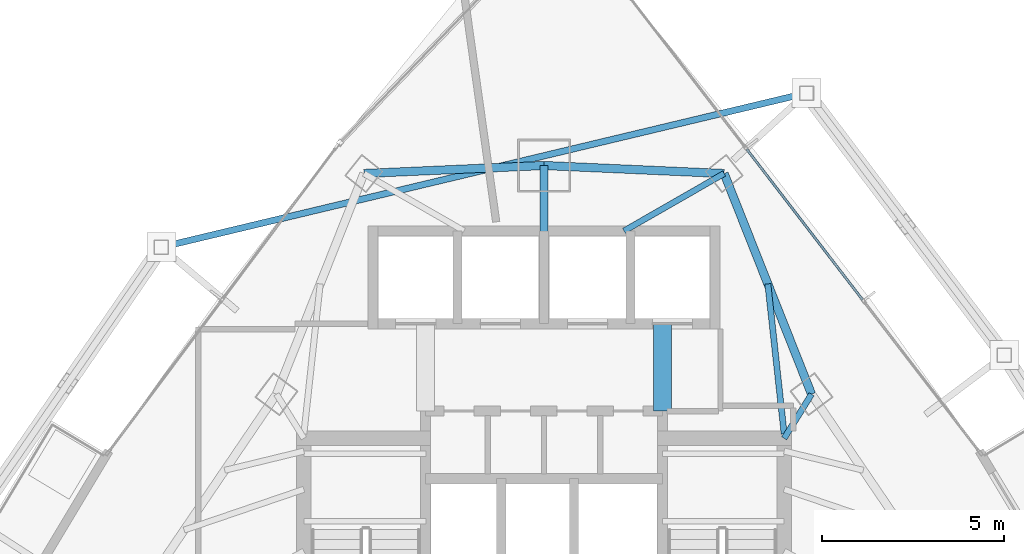
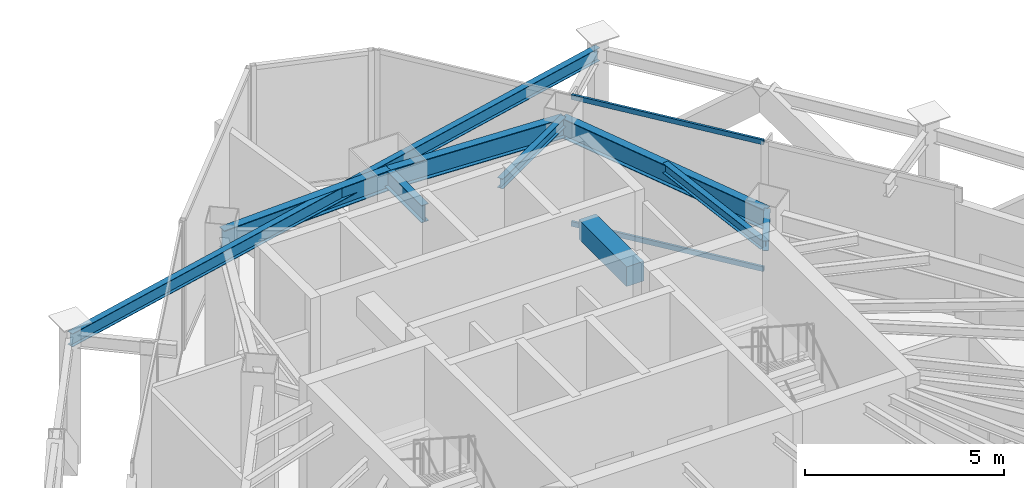
# One storey, part 19 of 27: 9 beams, 2 members, 1 element without a shape of its own.
"""IFC4 building model written with IfcOpenShell, lengths in metres."""

from ifc_helpers import new_model, si_unit, direction, frame, origin, origin_2d, place, context, subcontext, project, spatial, rectangle, hollow_rectangle, i_section, extrude, material, layer, layer_set, material_profile, profile_set, type_object, element, aggregate, save


model = new_model("IFC4")

# Units and contexts
model_context = context("Model", 3, precision=1e-05, world=origin(), true_north=direction((0.0, 1.0)))
body_context = subcontext(model_context, "Body", "Model", "MODEL_VIEW")
ifc_project = project(units=[si_unit("LENGTHUNIT", "METRE"), si_unit("AREAUNIT", "SQUARE_METRE"), si_unit("VOLUMEUNIT", "CUBIC_METRE"), si_unit("PLANEANGLEUNIT", "RADIAN"), si_unit("MASSUNIT", "GRAM", prefix="KILO")], contexts=[model_context])

# Site, building, storey
site_placement = place(None, origin())
site = spatial("IfcSite", under=ifc_project, at=site_placement, CompositionType="ELEMENT")
building_placement = place(site_placement, origin())
building = spatial("IfcBuilding", under=site, at=building_placement, Name="Orvanel Arch Residences", CompositionType="ELEMENT")
storey_placement = place(building_placement, frame((0.0, 0.0, 186.949951171875)))
storey = spatial("IfcBuildingStorey", under=building, at=storey_placement, Name="L53", CompositionType="ELEMENT", Elevation=186.949951171875)

# Beams
ifc_material_1 = material(Name="Structural steel AS/NZS 3679.1 Grade 300 (300 MPa)", Category="steel")
ifc_material_profile_1 = material_profile(ifc_material_1, i_section(OverallWidth=0.208984375, OverallDepth=0.532958984375, WebThickness=0.01025390625, FlangeThickness=0.015625, at=origin_2d()), Name="530UB92.4")
ifc_profile_set_1 = profile_set([ifc_material_profile_1], Name="Structural steel AS/NZS 3679.1 Grade 300 (300 MPa)")
beam_type_1 = type_object("IfcBeamType", Name="BG-530UB", PredefinedType="BEAM", material=ifc_profile_set_1)
beam_1_placement = place(storey_placement, frame((33.0, 39.550048828125, 3.68310546875), z_axis=(0.0, 1.0, 0.0), x_axis=(-1.0, 0.0, 0.0)))
element("IfcBeam", 1, at=beam_1_placement, inside=storey, type_object=beam_type_1, Name="L53 North Radial Girder", PredefinedType="BEAM", context=body_context, shape_type="SweptSolid", body=[
    extrude(i_section(OverallWidth=0.208984375, OverallDepth=0.532958984375, WebThickness=0.01025390625, FlangeThickness=0.015625, at=origin_2d()), origin(), (0.0, 0.0, 1.0), 1.847900390625),
])
ifc_material_profile_2 = material_profile(ifc_material_1, i_section(OverallWidth=0.1650390625, OverallDepth=0.303955078125, WebThickness=0.006103515625, FlangeThickness=0.01025390625, at=origin_2d()), Name="310UB40.4")
ifc_profile_set_2 = profile_set([ifc_material_profile_2], Name="Structural steel AS/NZS 3679.1 Grade 300 (300 MPa)")
beam_type_2 = type_object("IfcBeamType", Name="BJ-310UB", PredefinedType="JOIST", material=ifc_profile_set_2)
beam_2_placement = place(storey_placement, frame((39.60009765625, 33.89990234375, 3.798095703125), z_axis=(0.526843290616, 0.84996243866, 0.0), x_axis=(-0.84996243866, 0.526843290616, 0.0)))
element("IfcBeam", 2, at=beam_2_placement, inside=storey, type_object=beam_type_2, Name="L53 NNE Wing Floor Joist", PredefinedType="JOIST", context=body_context, shape_type="SweptSolid", body=[
    extrude(i_section(OverallWidth=0.1650390625, OverallDepth=0.303955078125, WebThickness=0.006103515625, FlangeThickness=0.01025390625, at=origin_2d()), origin(), (0.0, 0.0, 1.0), 1.42724609375),
])
beam_3_placement = place(storey_placement, frame((39.60009765625, 34.02001953125, 3.798095703125), z_axis=(-0.108261441852, 0.99412245735, 0.0), x_axis=(-0.99412245735, -0.108261441852, 0.0)))
element("IfcBeam", 3, at=beam_3_placement, inside=storey, type_object=beam_type_2, Name="L53 NNE2 Wing Floor Joist", PredefinedType="JOIST", context=body_context, shape_type="SweptSolid", body=[
    extrude(i_section(OverallWidth=0.1650390625, OverallDepth=0.303955078125, WebThickness=0.006103515625, FlangeThickness=0.01025390625, at=origin_2d()), origin(), (0.0, 0.0, 1.0), 4.1494140625),
])
beam_4_placement = place(storey_placement, frame((35.199951171875, 39.60009765625, 3.798095703125), z_axis=(0.86736513383, 0.497672306458, 0.0), x_axis=(-0.497672306458, 0.86736513383, 0.0)))
element("IfcBeam", 4, at=beam_4_placement, inside=storey, type_object=beam_type_2, Name="L53 MNE Wing Floor Joist", PredefinedType="JOIST", context=body_context, shape_type="SweptSolid", body=[
    extrude(i_section(OverallWidth=0.1650390625, OverallDepth=0.303955078125, WebThickness=0.006103515625, FlangeThickness=0.01025390625, at=origin_2d()), origin(), (0.0, 0.0, 1.0), 3.17041015625),
])
ifc_material_2 = material(Name="Concrete S65 (65 MPa)", Category="concrete")
ifc_material_profile_3 = material_profile(ifc_material_2, rectangle(XDim=0.5, YDim=0.60009765625, at=origin_2d()), Name="RC500x600")
ifc_profile_set_3 = profile_set([ifc_material_profile_3], Name="Concrete S65 (65 MPa)")
beam_type_3 = type_object("IfcBeamType", Name="CB-500x600", PredefinedType="LINTEL", material=ifc_profile_set_3)
beam_5_placement = place(storey_placement, frame((36.260009765625, 34.64990234375, 3.650146484375), z_axis=(0.0, 1.0, 0.0), x_axis=(-1.0, 0.0, 0.0)))
element("IfcBeam", 5, at=beam_5_placement, inside=storey, type_object=beam_type_3, Name="L53 East Core Lobby Coupling Lintel Beam", PredefinedType="LINTEL", context=body_context, shape_type="SweptSolid", body=[
    extrude(rectangle(XDim=0.5, YDim=0.60009765625, at=origin_2d()), origin(), (0.0, 0.0, 1.0), 2.400146484375),
])
ifc_material_profile_4 = material_profile(ifc_material_1, i_section(OverallWidth=0.177978515625, OverallDepth=0.406005859375, WebThickness=0.0078125, FlangeThickness=0.0126953125, at=origin_2d()), Name="410UB59.7")
ifc_profile_set_4 = profile_set([ifc_material_profile_4], Name="Structural steel AS/NZS 3679.1 Grade 300 (300 MPa)")
beam_type_4 = type_object("IfcBeamType", Name="OB-410UB-EXT", PredefinedType="SPANDREL", material=ifc_profile_set_4)
beam_6_placement = place(storey_placement, frame((40.215087890625, 43.386962890625, 3.7470703125), z_axis=(-0.97267054815, -0.23218958797, 0.0), x_axis=(0.23218958797, -0.97267054815, 0.0)))
element("IfcBeam", 6, at=beam_6_placement, inside=storey, type_object=beam_type_4, Name="L53 Outer Perimeter Floor Ring Beam 12", PredefinedType="SPANDREL", context=body_context, shape_type="SweptSolid", body=[
    extrude(i_section(OverallWidth=0.177978515625, OverallDepth=0.406005859375, WebThickness=0.0078125, FlangeThickness=0.0126953125, at=origin_2d()), origin(), (0.0, 0.0, 1.0), 18.23046875),
])
ifc_material_profile_5 = material_profile(ifc_material_1, i_section(OverallWidth=0.22900390625, OverallDepth=0.612060546875, WebThickness=0.011962890625, FlangeThickness=0.01953125, at=origin_2d()), Name="610UB125")
ifc_profile_set_5 = profile_set([ifc_material_profile_5], Name="Structural steel AS/NZS 3679.1 Grade 300 (300 MPa)")
beam_type_5 = type_object("IfcBeamType", Name="SP-610UB", PredefinedType="SPANDREL", material=ifc_profile_set_5)
beam_7_placement = place(storey_placement, frame((40.35205078125, 35.113037109375, 3.64404296875), z_axis=(-0.368233143579, 0.929733484376, 0.0), x_axis=(-0.929733484376, -0.368233143579, 0.0)))
element("IfcBeam", 7, at=beam_7_placement, inside=storey, type_object=beam_type_5, Name="L53 Perimeter Spandrel Beam 13", PredefinedType="SPANDREL", context=body_context, shape_type="SweptSolid", body=[
    extrude(i_section(OverallWidth=0.22900390625, OverallDepth=0.612060546875, WebThickness=0.011962890625, FlangeThickness=0.01953125, at=origin_2d()), origin(), (0.0, 0.0, 1.0), 6.523193359375),
])
for number, where, z_axis, x_axis, name in (
    (8, (37.949951171875, 41.177978515625, 3.64404296875), (-0.999014049296, 0.044395149614, 0.0), (-0.044395149614, -0.999014049296, 0.0), "L53 Perimeter Spandrel Beam 14"),
    (9, (33.0, 41.39794921875, 3.64404296875), (-0.999014049296, -0.044395149614, 0.0), (0.044395149614, -0.999014049296, 0.0), "L53 Perimeter Spandrel Beam 15"),
):
    element("IfcBeam", number, at=place(storey_placement, frame(where, z_axis=z_axis, x_axis=x_axis)), inside=storey, type_object=beam_type_5, Name=name, PredefinedType="SPANDREL", context=body_context, shape_type="SweptSolid", body=[
        extrude(i_section(OverallWidth=0.22900390625, OverallDepth=0.612060546875, WebThickness=0.011962890625, FlangeThickness=0.01953125, at=origin_2d()), origin(), (0.0, 0.0, 1.0), 4.954833984375),
    ])

# Curtain wall, members
ifc_material_3 = material(Name="Bronze-anodised aluminium AA6063-T6", Category="aluminium")
ifc_layer = layer(ifc_material_3, 0.195068359375)
ifc_layer_set = layer_set([ifc_layer], Name="Bronze-anodised aluminium AA6063-T6")
curtain_wall_type = type_object("IfcCurtainWallType", Name="CW6-COM-SYS", PredefinedType="NOTDEFINED", material=ifc_layer_set)
curtain_wall_placement = place(storey_placement, origin())
curtain_wall = element("IfcCurtainWall", 10, at=curtain_wall_placement, inside=storey, type_object=curtain_wall_type, Name="L53 CW6-COM-SYS Unitised Curtain Wall", PredefinedType="NOTDEFINED")
ifc_material_profile_6 = material_profile(ifc_material_3, hollow_rectangle(XDim=0.06494140625, YDim=0.14990234375, WallThickness=0.00390625, at=origin_2d()), Name="ALU150x65x4")
ifc_profile_set_6 = profile_set([ifc_material_profile_6], Name="Bronze-anodised aluminium AA6063-T6")
member_type = type_object("IfcMemberType", Name="TRN-150x65", PredefinedType="USERDEFINED", material=ifc_profile_set_6)
member_1_placement = place(storey_placement, frame((41.752685546875, 37.71044921875, 0.032470703125), z_axis=(-0.6097356423, 0.792604848906, 0.0), x_axis=(-0.792604848906, -0.6097356423, 0.0)))
member_1 = element("IfcMember", 11, at=member_1_placement, type_object=member_type, Name="CW-S6 transom 2.1", ObjectType="TRANSOM", PredefinedType="USERDEFINED", context=body_context, shape_type="SweptSolid", body=[
    extrude(hollow_rectangle(XDim=0.06494140625, YDim=0.14990234375, WallThickness=0.00390625, at=origin_2d()), origin(), (0.0, 0.0, 1.0), 5.216064453125),
])
member_2_placement = place(storey_placement, frame((41.752685546875, 37.71044921875, 3.91748046875), z_axis=(-0.6097356423, 0.792604848906, 0.0), x_axis=(-0.792604848906, -0.6097356423, 0.0)))
member_2 = element("IfcMember", 12, at=member_2_placement, type_object=member_type, Name="CW-S6 transom 2.2", ObjectType="TRANSOM", PredefinedType="USERDEFINED", context=body_context, shape_type="SweptSolid", body=[
    extrude(hollow_rectangle(XDim=0.06494140625, YDim=0.14990234375, WallThickness=0.00390625, at=origin_2d()), origin(), (0.0, 0.0, 1.0), 5.216064453125),
])
aggregate(curtain_wall, [member_1, member_2])

save(model, "model.ifc")
